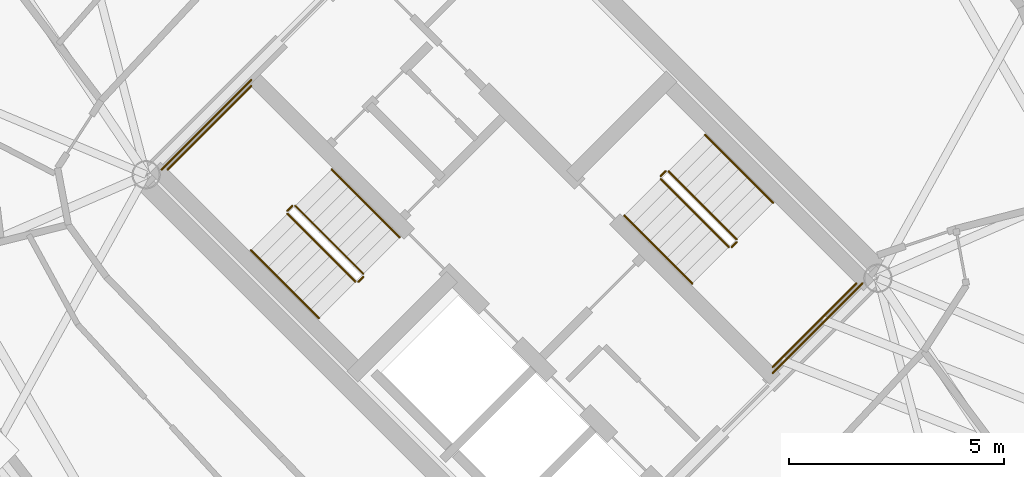
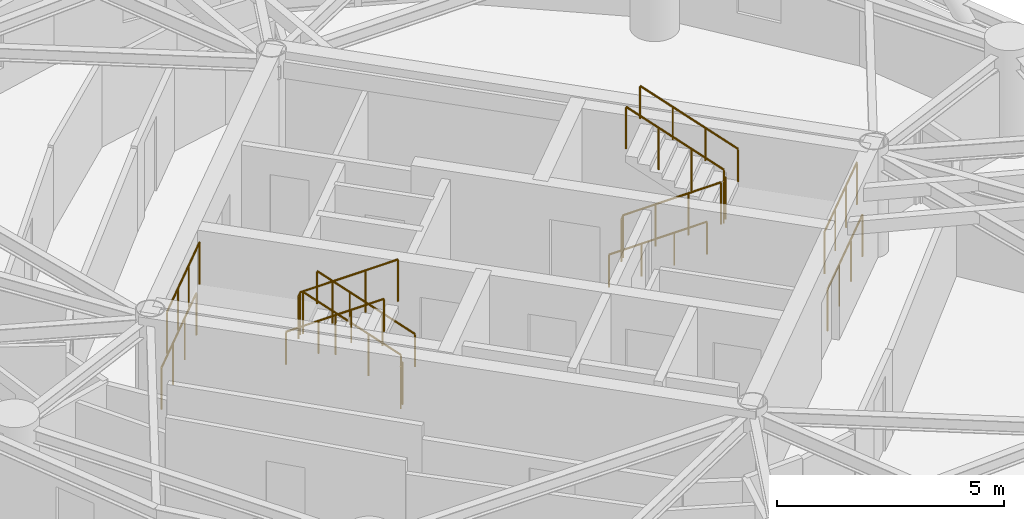
# One storey, part 16 of 16: 16 railings.
"""IFC4 building model written with IfcOpenShell, lengths in metres."""

from ifc_helpers import new_model, si_unit, direction, frame, origin, origin_2d, place, context, subcontext, project, spatial, circle, extrude, material, type_object, element, save


model = new_model("IFC4")

# Units and contexts
model_context = context("Model", 3, precision=1e-05, world=origin(), true_north=direction((0.0, 1.0)))
body_context = subcontext(model_context, "Body", "Model", "MODEL_VIEW")
ifc_project = project(units=[si_unit("LENGTHUNIT", "METRE"), si_unit("AREAUNIT", "SQUARE_METRE"), si_unit("VOLUMEUNIT", "CUBIC_METRE"), si_unit("PLANEANGLEUNIT", "RADIAN"), si_unit("MASSUNIT", "GRAM", prefix="KILO")], contexts=[model_context])

# Site, building, storey
site_placement = place(None, origin())
site = spatial("IfcSite", under=ifc_project, at=site_placement, CompositionType="ELEMENT")
building_placement = place(site_placement, origin())
building = spatial("IfcBuilding", under=site, at=building_placement, Name="Cununo Teusaquillo Station Towers", CompositionType="ELEMENT")
storey_placement = place(building_placement, frame((0.0, 0.0, 219.93994140625)))
storey = spatial("IfcBuildingStorey", under=building, at=storey_placement, Name="L70", CompositionType="ELEMENT", Elevation=219.93994140625)

# Railings
ifc_material_1 = material(Name="Steel EN 10025-2 S355J2", Category="steel")
railing_type_1 = type_object("IfcRailingType", Name="RL-INT-GUARD", PredefinedType="GUARDRAIL", material=ifc_material_1)
railing_1_placement = place(storey_placement, frame((54.03515625, 23.39697265625, 0.16162109375)))
element("IfcRailing", 1, at=railing_1_placement, inside=storey, type_object=railing_type_1, Name="L70 ST-T2-1 stair guard 1", PredefinedType="GUARDRAIL", context=body_context, shape_type="SweptSolid", body=[
    extrude(circle(Radius=0.02392578125, at=origin_2d()), frame((0.0, 0.0, 1.1259765625), z_axis=(-0.612332353853, 0.612332353853, 0.500098167213), x_axis=(-0.707106781187, -0.707106781187, 0.0)), (0.0, 0.0, 1.0), 2.58642578125),
    extrude(circle(Radius=0.02099609375, at=origin_2d()), origin(), (0.0, 0.0, 1.0), 1.101806640625),
    extrude(circle(Radius=0.02099609375, at=origin_2d()), frame((-0.52783203125, 0.52783203125, 0.43115234375)), (0.0, 0.0, 1.0), 1.101806640625),
    extrude(circle(Radius=0.02099609375, at=origin_2d()), frame((-1.055908203125, 1.055908203125, 0.8623046875)), (0.0, 0.0, 1.0), 1.101806640625),
    extrude(circle(Radius=0.02099609375, at=origin_2d()), frame((-1.583740234375, 1.583740234375, 1.29345703125)), (0.0, 0.0, 1.0), 1.101806640625),
])
railing_2_placement = place(storey_placement, frame((52.380615234375, 24.980712890625, 1.455078125)))
element("IfcRailing", 2, at=railing_2_placement, inside=storey, type_object=railing_type_1, Name="L70 ST-T2-1 stair guard 2", PredefinedType="GUARDRAIL", context=body_context, shape_type="SweptSolid", body=[
    extrude(circle(Radius=0.02392578125, at=origin_2d()), frame((0.0, 0.0, 1.1259765625), z_axis=(-0.7078691598, -0.706343579714, 0.0), x_axis=(0.706343579714, -0.7078691598, 0.0)), (0.0, 0.0, 1.0), 0.159912109375),
    extrude(circle(Radius=0.02099609375, at=origin_2d()), origin(), (0.0, 0.0, 1.0), 1.101806640625),
    extrude(circle(Radius=0.02099609375, at=origin_2d()), frame((-0.11328125, -0.113037109375, 0.0)), (0.0, 0.0, 1.0), 1.101806640625),
])
railing_3_placement = place(storey_placement, frame((51.426025390625, 27.77392578125, 1.455078125)))
element("IfcRailing", 3, at=railing_3_placement, inside=storey, type_object=railing_type_1, Name="L70 ST-T2-1 stair guard 3", PredefinedType="GUARDRAIL", context=body_context, shape_type="SweptSolid", body=[
    extrude(circle(Radius=0.02392578125, at=origin_2d()), frame((0.0, 0.0, 1.1259765625), z_axis=(-0.707106781187, -0.707106781187, 0.0), x_axis=(0.707106781187, -0.707106781187, 0.0)), (0.0, 0.0, 1.0), 2.760009765625),
    extrude(circle(Radius=0.02099609375, at=origin_2d()), origin(), (0.0, 0.0, 1.0), 1.101806640625),
    extrude(circle(Radius=0.02099609375, at=origin_2d()), frame((-0.650634765625, -0.650634765625, 0.0)), (0.0, 0.0, 1.0), 1.101806640625),
    extrude(circle(Radius=0.02099609375, at=origin_2d()), frame((-1.301025390625, -1.301025390625, 0.0)), (0.0, 0.0, 1.0), 1.101806640625),
    extrude(circle(Radius=0.02099609375, at=origin_2d()), frame((-1.95166015625, -1.95166015625, 0.0)), (0.0, 0.0, 1.0), 1.101806640625),
])
railing_4_placement = place(storey_placement, frame((52.267333984375, 24.796875, 1.61669921875)))
element("IfcRailing", 4, at=railing_4_placement, inside=storey, type_object=railing_type_1, Name="L70 ST-T2-1 stair guard 4", PredefinedType="GUARDRAIL", context=body_context, shape_type="SweptSolid", body=[
    extrude(circle(Radius=0.02392578125, at=origin_2d()), frame((0.0, 0.0, 1.1259765625), z_axis=(0.612391349474, -0.612296961165, 0.500069261639), x_axis=(0.707052281454, 0.707161276719, 0.0)), (0.0, 0.0, 1.0), 2.586669921875),
    extrude(circle(Radius=0.02099609375, at=origin_2d()), origin(), (0.0, 0.0, 1.0), 1.101806640625),
    extrude(circle(Radius=0.02099609375, at=origin_2d()), frame((0.528076171875, -0.52783203125, 0.43115234375)), (0.0, 0.0, 1.0), 1.101806640625),
    extrude(circle(Radius=0.02099609375, at=origin_2d()), frame((1.055908203125, -1.055908203125, 0.8623046875)), (0.0, 0.0, 1.0), 1.101806640625),
    extrude(circle(Radius=0.02099609375, at=origin_2d()), frame((1.583984375, -1.583740234375, 1.29345703125)), (0.0, 0.0, 1.0), 1.101806640625),
])
railing_5_placement = place(storey_placement, frame((54.03515625, 23.326171875, 0.0)))
element("IfcRailing", 5, at=railing_5_placement, inside=storey, type_object=railing_type_1, Name="L70 ST-T2-1 stair guard 5", PredefinedType="GUARDRAIL", context=body_context, shape_type="SweptSolid", body=[
    extrude(circle(Radius=0.02392578125, at=origin_2d()), frame((0.0, 0.0, 1.1259765625), z_axis=(-0.707106781187, -0.707106781187, 0.0), x_axis=(0.707106781187, -0.707106781187, 0.0)), (0.0, 0.0, 1.0), 0.159912109375),
    extrude(circle(Radius=0.02099609375, at=origin_2d()), origin(), (0.0, 0.0, 1.0), 1.101806640625),
    extrude(circle(Radius=0.02099609375, at=origin_2d()), frame((-0.113037109375, -0.113037109375, 0.0)), (0.0, 0.0, 1.0), 1.101806640625),
])
railing_6_placement = place(storey_placement, frame((51.426025390625, 27.915283203125, 0.0)))
element("IfcRailing", 6, at=railing_6_placement, inside=storey, type_object=railing_type_1, Name="L70 ST-T2-1 stair guard 6", PredefinedType="GUARDRAIL", context=body_context, shape_type="SweptSolid", body=[
    extrude(circle(Radius=0.02392578125, at=origin_2d()), frame((0.0, 0.0, 1.1259765625), z_axis=(-0.707106781187, -0.707106781187, 0.0), x_axis=(0.707106781187, -0.707106781187, 0.0)), (0.0, 0.0, 1.0), 2.9599609375),
    extrude(circle(Radius=0.02099609375, at=origin_2d()), origin(), (0.0, 0.0, 1.0), 1.101806640625),
    extrude(circle(Radius=0.02099609375, at=origin_2d()), frame((-0.69775390625, -0.69775390625, 0.0)), (0.0, 0.0, 1.0), 1.101806640625),
    extrude(circle(Radius=0.02099609375, at=origin_2d()), frame((-1.395263671875, -1.395263671875, 0.0)), (0.0, 0.0, 1.0), 1.101806640625),
    extrude(circle(Radius=0.02099609375, at=origin_2d()), frame((-2.093017578125, -2.093017578125, 0.0)), (0.0, 0.0, 1.0), 1.101806640625),
])
railing_7_placement = place(storey_placement, frame((60.96484375, 25.60302734375, 0.16162109375)))
element("IfcRailing", 7, at=railing_7_placement, inside=storey, type_object=railing_type_1, Name="L70 ST-T2-2 stair guard 1", PredefinedType="GUARDRAIL", context=body_context, shape_type="SweptSolid", body=[
    extrude(circle(Radius=0.02392578125, at=origin_2d()), frame((0.0, 0.0, 1.1259765625), z_axis=(0.612332353853, -0.612332353853, 0.500098167213), x_axis=(0.707106781187, 0.707106781187, 0.0)), (0.0, 0.0, 1.0), 2.58642578125),
    extrude(circle(Radius=0.02099609375, at=origin_2d()), origin(), (0.0, 0.0, 1.0), 1.101806640625),
    extrude(circle(Radius=0.02099609375, at=origin_2d()), frame((0.52783203125, -0.52783203125, 0.43115234375)), (0.0, 0.0, 1.0), 1.101806640625),
    extrude(circle(Radius=0.02099609375, at=origin_2d()), frame((1.055908203125, -1.055908203125, 0.8623046875)), (0.0, 0.0, 1.0), 1.101806640625),
    extrude(circle(Radius=0.02099609375, at=origin_2d()), frame((1.583740234375, -1.583740234375, 1.29345703125)), (0.0, 0.0, 1.0), 1.101806640625),
])
railing_8_placement = place(storey_placement, frame((62.619384765625, 24.019287109375, 1.455078125)))
element("IfcRailing", 8, at=railing_8_placement, inside=storey, type_object=railing_type_1, Name="L70 ST-T2-2 stair guard 2", PredefinedType="GUARDRAIL", context=body_context, shape_type="SweptSolid", body=[
    extrude(circle(Radius=0.02392578125, at=origin_2d()), frame((0.0, 0.0, 1.1259765625), z_axis=(0.7078691598, 0.706343579714, 0.0), x_axis=(-0.706343579714, 0.7078691598, 0.0)), (0.0, 0.0, 1.0), 0.159912109375),
    extrude(circle(Radius=0.02099609375, at=origin_2d()), origin(), (0.0, 0.0, 1.0), 1.101806640625),
    extrude(circle(Radius=0.02099609375, at=origin_2d()), frame((0.11328125, 0.113037109375, 0.0)), (0.0, 0.0, 1.0), 1.101806640625),
])
railing_9_placement = place(storey_placement, frame((63.573974609375, 21.22607421875, 1.455078125)))
element("IfcRailing", 9, at=railing_9_placement, inside=storey, type_object=railing_type_1, Name="L70 ST-T2-2 stair guard 3", PredefinedType="GUARDRAIL", context=body_context, shape_type="SweptSolid", body=[
    extrude(circle(Radius=0.02392578125, at=origin_2d()), frame((0.0, 0.0, 1.1259765625), z_axis=(0.707106781187, 0.707106781187, 0.0), x_axis=(-0.707106781187, 0.707106781187, 0.0)), (0.0, 0.0, 1.0), 2.760009765625),
    extrude(circle(Radius=0.02099609375, at=origin_2d()), origin(), (0.0, 0.0, 1.0), 1.101806640625),
    extrude(circle(Radius=0.02099609375, at=origin_2d()), frame((0.650634765625, 0.650634765625, 0.0)), (0.0, 0.0, 1.0), 1.101806640625),
    extrude(circle(Radius=0.02099609375, at=origin_2d()), frame((1.301025390625, 1.301025390625, 0.0)), (0.0, 0.0, 1.0), 1.101806640625),
    extrude(circle(Radius=0.02099609375, at=origin_2d()), frame((1.95166015625, 1.95166015625, 0.0)), (0.0, 0.0, 1.0), 1.101806640625),
])
railing_10_placement = place(storey_placement, frame((62.732666015625, 24.203125, 1.61669921875)))
element("IfcRailing", 10, at=railing_10_placement, inside=storey, type_object=railing_type_1, Name="L70 ST-T2-2 stair guard 4", PredefinedType="GUARDRAIL", context=body_context, shape_type="SweptSolid", body=[
    extrude(circle(Radius=0.02392578125, at=origin_2d()), frame((0.0, 0.0, 1.1259765625), z_axis=(-0.612391349474, 0.612296961165, 0.500069261639), x_axis=(-0.707052281454, -0.707161276719, 0.0)), (0.0, 0.0, 1.0), 2.586669921875),
    extrude(circle(Radius=0.02099609375, at=origin_2d()), origin(), (0.0, 0.0, 1.0), 1.101806640625),
    extrude(circle(Radius=0.02099609375, at=origin_2d()), frame((-0.528076171875, 0.52783203125, 0.43115234375)), (0.0, 0.0, 1.0), 1.101806640625),
    extrude(circle(Radius=0.02099609375, at=origin_2d()), frame((-1.055908203125, 1.055908203125, 0.8623046875)), (0.0, 0.0, 1.0), 1.101806640625),
    extrude(circle(Radius=0.02099609375, at=origin_2d()), frame((-1.583984375, 1.583740234375, 1.29345703125)), (0.0, 0.0, 1.0), 1.101806640625),
])
railing_11_placement = place(storey_placement, frame((60.96484375, 25.673828125, 0.0)))
element("IfcRailing", 11, at=railing_11_placement, inside=storey, type_object=railing_type_1, Name="L70 ST-T2-2 stair guard 5", PredefinedType="GUARDRAIL", context=body_context, shape_type="SweptSolid", body=[
    extrude(circle(Radius=0.02392578125, at=origin_2d()), frame((0.0, 0.0, 1.1259765625), z_axis=(0.707106781187, 0.707106781187, 0.0), x_axis=(-0.707106781187, 0.707106781187, 0.0)), (0.0, 0.0, 1.0), 0.159912109375),
    extrude(circle(Radius=0.02099609375, at=origin_2d()), origin(), (0.0, 0.0, 1.0), 1.101806640625),
    extrude(circle(Radius=0.02099609375, at=origin_2d()), frame((0.113037109375, 0.113037109375, 0.0)), (0.0, 0.0, 1.0), 1.101806640625),
])
railing_12_placement = place(storey_placement, frame((63.573974609375, 21.084716796875, 0.0)))
element("IfcRailing", 12, at=railing_12_placement, inside=storey, type_object=railing_type_1, Name="L70 ST-T2-2 stair guard 6", PredefinedType="GUARDRAIL", context=body_context, shape_type="SweptSolid", body=[
    extrude(circle(Radius=0.02392578125, at=origin_2d()), frame((0.0, 0.0, 1.1259765625), z_axis=(0.707106781187, 0.707106781187, 0.0), x_axis=(-0.707106781187, 0.707106781187, 0.0)), (0.0, 0.0, 1.0), 2.9599609375),
    extrude(circle(Radius=0.02099609375, at=origin_2d()), origin(), (0.0, 0.0, 1.0), 1.101806640625),
    extrude(circle(Radius=0.02099609375, at=origin_2d()), frame((0.69775390625, 0.69775390625, 0.0)), (0.0, 0.0, 1.0), 1.101806640625),
    extrude(circle(Radius=0.02099609375, at=origin_2d()), frame((1.395263671875, 1.395263671875, 0.0)), (0.0, 0.0, 1.0), 1.101806640625),
    extrude(circle(Radius=0.02099609375, at=origin_2d()), frame((2.093017578125, 2.093017578125, 0.0)), (0.0, 0.0, 1.0), 1.101806640625),
])
ifc_material_2 = material(Name="Steel EN 10025-2 S355J2", Category="steel")
railing_type_2 = type_object("IfcRailingType", Name="RL-INT-HRAIL", PredefinedType="HANDRAIL", material=ifc_material_2)
railing_13_placement = place(storey_placement, frame((54.8837890625, 24.245361328125, 0.16162109375)))
element("IfcRailing", 13, at=railing_13_placement, inside=storey, type_object=railing_type_2, Name="L70 ST-T2-1 stair handrail 1", PredefinedType="HANDRAIL", context=body_context, shape_type="SweptSolid", body=[
    extrude(circle(Radius=0.02392578125, at=origin_2d()), frame((0.0, 0.0, 0.8759765625), z_axis=(-0.612355957468, 0.612355957468, 0.500040361077), x_axis=(-0.707106781187, -0.707106781187, 0.0)), (0.0, 0.0, 1.0), 2.586669921875),
    extrude(circle(Radius=0.02099609375, at=origin_2d()), origin(), (0.0, 0.0, 1.0), 0.851806640625),
    extrude(circle(Radius=0.02099609375, at=origin_2d()), frame((-0.528076171875, 0.528076171875, 0.43115234375)), (0.0, 0.0, 1.0), 0.851806640625),
    extrude(circle(Radius=0.02099609375, at=origin_2d()), frame((-1.055908203125, 1.055908203125, 0.8623046875)), (0.0, 0.0, 1.0), 0.851806640625),
    extrude(circle(Radius=0.02099609375, at=origin_2d()), frame((-1.583984375, 1.583984375, 1.29345703125)), (0.0, 0.0, 1.0), 0.851806640625),
])
for number, where, name in (
    (14, (51.4189453125, 23.948486328125, 1.61669921875), "L70 ST-T2-1 stair handrail 2"),
    (15, (60.1162109375, 24.754638671875, 0.16162109375), "L70 ST-T2-2 stair handrail 1"),
):
    element("IfcRailing", number, at=place(storey_placement, frame(where)), inside=storey, type_object=railing_type_2, Name=name, PredefinedType="HANDRAIL", context=body_context, shape_type="SweptSolid", body=[
        extrude(circle(Radius=0.02392578125, at=origin_2d()), frame((0.0, 0.0, 0.8759765625), z_axis=(0.612355957468, -0.612355957468, 0.500040361077), x_axis=(0.707106781187, 0.707106781187, 0.0)), (0.0, 0.0, 1.0), 2.586669921875),
        extrude(circle(Radius=0.02099609375, at=origin_2d()), origin(), (0.0, 0.0, 1.0), 0.851806640625),
        extrude(circle(Radius=0.02099609375, at=origin_2d()), frame((0.528076171875, -0.528076171875, 0.43115234375)), (0.0, 0.0, 1.0), 0.851806640625),
        extrude(circle(Radius=0.02099609375, at=origin_2d()), frame((1.055908203125, -1.055908203125, 0.8623046875)), (0.0, 0.0, 1.0), 0.851806640625),
        extrude(circle(Radius=0.02099609375, at=origin_2d()), frame((1.583984375, -1.583984375, 1.29345703125)), (0.0, 0.0, 1.0), 0.851806640625),
    ])
railing_14_placement = place(storey_placement, frame((63.5810546875, 25.051513671875, 1.61669921875)))
element("IfcRailing", 16, at=railing_14_placement, inside=storey, type_object=railing_type_2, Name="L70 ST-T2-2 stair handrail 2", PredefinedType="HANDRAIL", context=body_context, shape_type="SweptSolid", body=[
    extrude(circle(Radius=0.02392578125, at=origin_2d()), frame((0.0, 0.0, 0.8759765625), z_axis=(-0.612355957468, 0.612355957468, 0.500040361077), x_axis=(-0.707106781187, -0.707106781187, 0.0)), (0.0, 0.0, 1.0), 2.586669921875),
    extrude(circle(Radius=0.02099609375, at=origin_2d()), origin(), (0.0, 0.0, 1.0), 0.851806640625),
    extrude(circle(Radius=0.02099609375, at=origin_2d()), frame((-0.528076171875, 0.528076171875, 0.43115234375)), (0.0, 0.0, 1.0), 0.851806640625),
    extrude(circle(Radius=0.02099609375, at=origin_2d()), frame((-1.055908203125, 1.055908203125, 0.8623046875)), (0.0, 0.0, 1.0), 0.851806640625),
    extrude(circle(Radius=0.02099609375, at=origin_2d()), frame((-1.583984375, 1.583984375, 1.29345703125)), (0.0, 0.0, 1.0), 0.851806640625),
])

save(model, "model.ifc")
